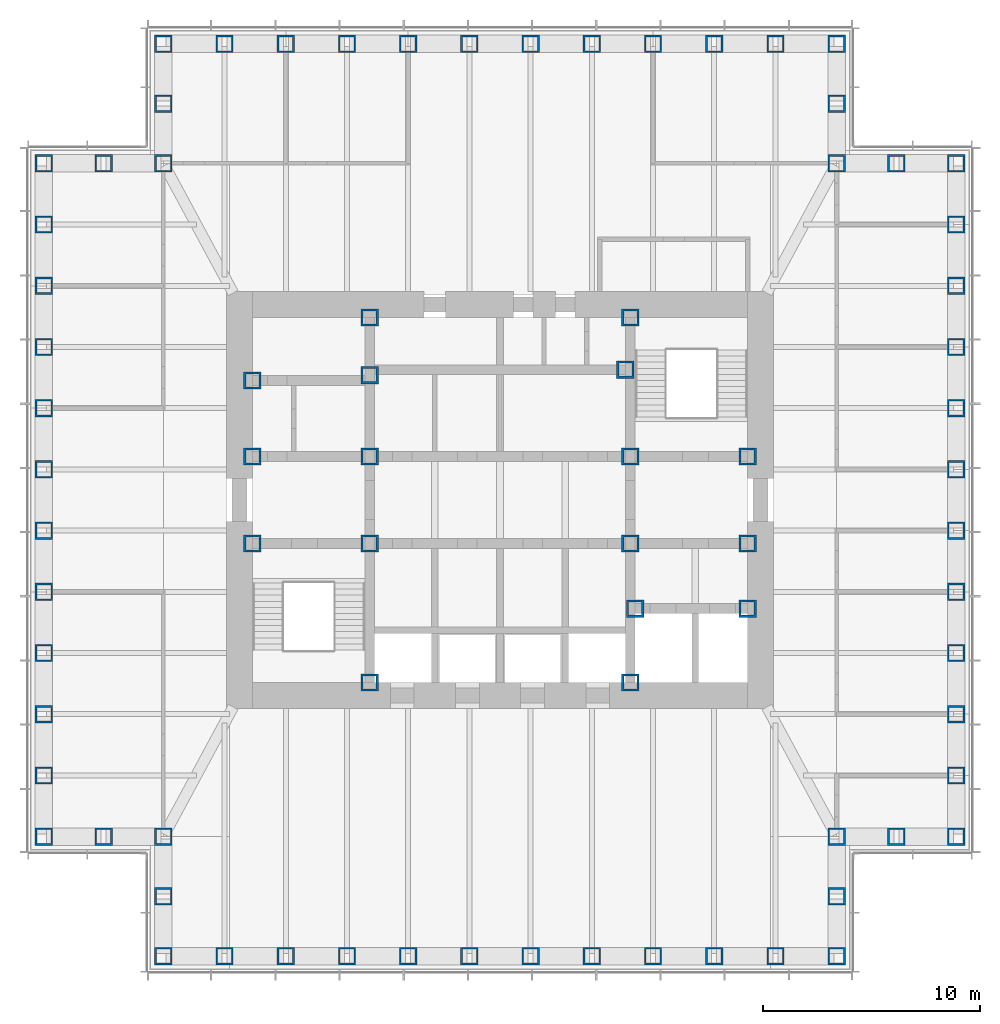
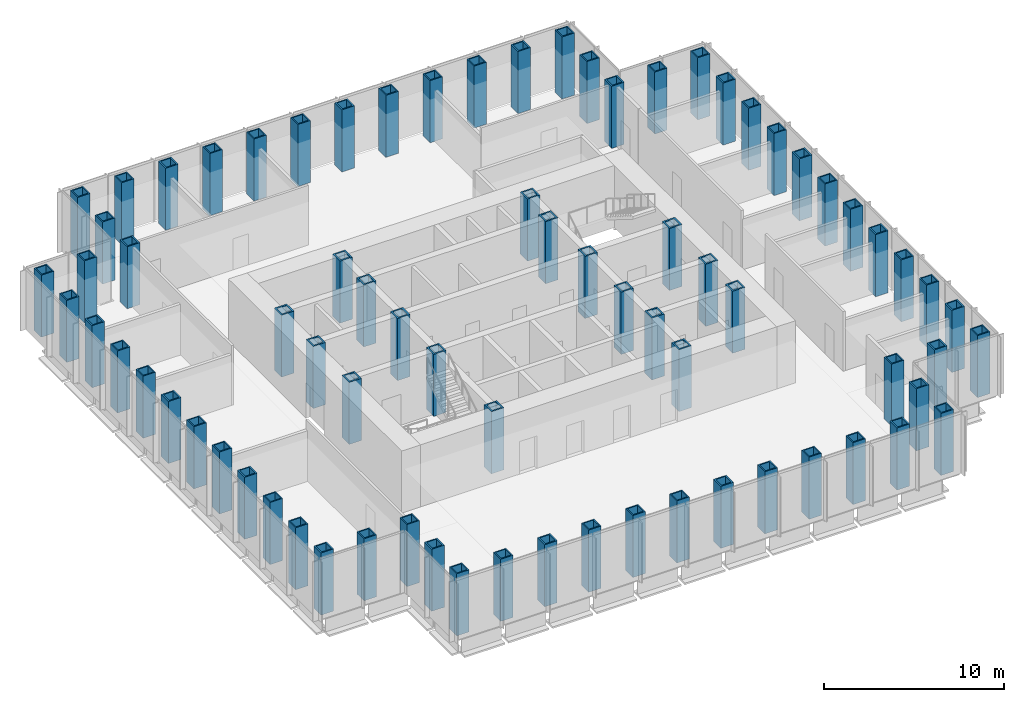
# One storey, part 1 of 16: 77 columns.
"""IFC4 building model written with IfcOpenShell, lengths in metres."""

from ifc_helpers import new_model, si_unit, direction, frame, origin, origin_2d, place, context, subcontext, project, spatial, hollow_rectangle, extrude, material, material_profile, profile_set, type_object, element, save


model = new_model("IFC4")

# Units and contexts
model_context = context("Model", 3, precision=1e-05, world=origin(), true_north=direction((0.0, 1.0)))
body_context = subcontext(model_context, "Body", "Model", "MODEL_VIEW")
ifc_project = project(units=[si_unit("LENGTHUNIT", "METRE"), si_unit("AREAUNIT", "SQUARE_METRE"), si_unit("VOLUMEUNIT", "CUBIC_METRE"), si_unit("PLANEANGLEUNIT", "RADIAN"), si_unit("MASSUNIT", "GRAM", prefix="KILO")], contexts=[model_context])

# Site, building, storey
site_placement = place(None, origin())
site = spatial("IfcSite", under=ifc_project, at=site_placement, CompositionType="ELEMENT")
building_placement = place(site_placement, origin())
building = spatial("IfcBuilding", under=site, at=building_placement, Name="Daluyong Arena Tower", CompositionType="ELEMENT")
storey_placement = place(building_placement, frame((0.0, 0.0, 214.89990234375)))
storey = spatial("IfcBuildingStorey", under=building, at=storey_placement, Name="L48", CompositionType="ELEMENT", Elevation=214.89990234375)

# Columns
ifc_material_1 = material(Name="Steel ASTM A572 Grade 50", Category="steel")
ifc_material_profile_1 = material_profile(ifc_material_1, hollow_rectangle(XDim=0.800048828125, YDim=0.800048828125, WallThickness=0.1, at=origin_2d()))
ifc_profile_set_1 = profile_set([ifc_material_profile_1], Name="Steel ASTM A572 Grade 50")
column_type_1 = type_object("IfcColumnType", Name="Core boundary column BX800X100", PredefinedType="COLUMN", material=ifc_profile_set_1)
for number, where, z_axis, x_axis, name in (
    (1, (44.60009765625, 78.0, 0.0), (0.0, 0.0, 1.0), (1.0, 0.0, 0.0), "core boundary column BC2"),
    (2, (44.60009765625, 82.0, 0.0), (0.0, 0.0, 1.0), (1.0, 0.0, 0.0), "core boundary column BC2"),
    (3, (44.60009765625, 85.5, 0.0), (0.0, 0.0, 1.0), (1.0, 0.0, 0.0), "core boundary column BC2"),
    (4, (50.0, 71.60009765625, 0.0), (0.0, 0.0, 1.0), (1.0, 0.0, 0.0), "core boundary column BC2"),
    (5, (50.0, 78.0, 0.0), (0.0, 0.0, 1.0), (1.0, 0.0, 0.0), "core boundary column BC2"),
    (6, (50.0, 82.0, 0.0), (0.0, 0.0, 1.0), (1.0, 0.0, 0.0), "core boundary column BC2"),
    (7, (50.0, 85.75, 0.0), (0.0, 0.0, 1.0), (1.0, 0.0, 0.0), "core boundary column BC2"),
    (8, (50.0, 88.39990234375, 0.0), (0.0, 0.0, 1.0), (1.0, 0.0, 0.0), "core boundary column BC2"),
    (9, (61.77490234375, 86.0, 0.0), (0.0, 0.0, 1.0), (1.0, 0.0, 0.0), "core boundary column BC2"),
    (10, (62.0, 71.60009765625, 0.0), (0.0, 0.0, 1.0), (1.0, 0.0, 0.0), "core boundary column BC2"),
    (11, (62.0, 78.0, 0.0), (0.0, 0.0, 1.0), (1.0, 0.0, 0.0), "core boundary column BC2"),
    (12, (62.0, 82.0, 0.0), (0.0, 0.0, 1.0), (1.0, 0.0, 0.0), "core boundary column BC2"),
    (13, (62.0, 88.39990234375, 0.0), (0.0, 0.0, 1.0), (1.0, 0.0, 0.0), "core boundary column BC2"),
    (14, (62.22509765625, 75.0, 0.0), (0.0, 0.0, 1.0), (1.0, 0.0, 0.0), "core boundary column BC2"),
    (15, (67.39990234375, 75.0, 0.0), (0.0, 0.0, 1.0), (1.0, 0.0, 0.0), "core boundary column BC2"),
    (16, (67.39990234375, 78.0, 0.0), (0.0, 0.0, 1.0), (1.0, 0.0, 0.0), "core boundary column BC2"),
    (17, (67.39990234375, 82.0, 0.0), (0.0, 0.0, 1.0), (1.0, 0.0, 0.0), "core boundary column BC2"),
):
    element("IfcColumn", number, at=place(storey_placement, frame(where, z_axis=z_axis, x_axis=x_axis)), inside=storey, type_object=column_type_1, Name=name, PredefinedType="COLUMN", context=body_context, shape_type="SweptSolid", body=[
        extrude(hollow_rectangle(XDim=0.800048828125, YDim=0.800048828125, WallThickness=0.1, at=origin_2d()), origin(), (0.0, 0.0, 1.0), 4.2001953125),
    ])
ifc_material_2 = material(Name="Steel ASTM A572 Grade 50", Category="steel")
ifc_material_profile_2 = material_profile(ifc_material_2, hollow_rectangle(XDim=0.800048828125, YDim=0.800048828125, WallThickness=0.08, at=origin_2d()))
ifc_profile_set_2 = profile_set([ifc_material_profile_2], Name="Steel ASTM A572 Grade 50")
column_type_2 = type_object("IfcColumnType", Name="Tube column BX800X80 BX800X80", PredefinedType="COLUMN", material=ifc_profile_set_2)
for number, where, z_axis, x_axis, name in (
    (18, (40.5, 59.0, 0.0), (0.0, 0.0, 1.0), (1.0, 0.0, 0.0), "tube column bx800x80 TC6"),
    (19, (43.318115234375, 59.0, 0.0), (0.0, 0.0, 1.0), (1.0, 0.0, 0.0), "tube column bx800x80 TC6"),
    (20, (46.136474609375, 59.0, 0.0), (0.0, 0.0, 1.0), (1.0, 0.0, 0.0), "tube column bx800x80 TC6"),
    (21, (48.95458984375, 59.0, 0.0), (0.0, 0.0, 1.0), (1.0, 0.0, 0.0), "tube column bx800x80 TC6"),
    (22, (51.772705078125, 59.0, 0.0), (0.0, 0.0, 1.0), (1.0, 0.0, 0.0), "tube column bx800x80 TC6"),
    (23, (54.5908203125, 59.0, 0.0), (0.0, 0.0, 1.0), (1.0, 0.0, 0.0), "tube column bx800x80 TC6"),
    (24, (57.4091796875, 59.0, 0.0), (0.0, 0.0, 1.0), (1.0, 0.0, 0.0), "tube column bx800x80 TC6"),
    (25, (60.227294921875, 59.0, 0.0), (0.0, 0.0, 1.0), (1.0, 0.0, 0.0), "tube column bx800x80 TC6"),
    (26, (63.04541015625, 59.0, 0.0), (0.0, 0.0, 1.0), (1.0, 0.0, 0.0), "tube column bx800x80 TC6"),
    (27, (65.863525390625, 59.0, 0.0), (0.0, 0.0, 1.0), (1.0, 0.0, 0.0), "tube column bx800x80 TC6"),
    (28, (68.681884765625, 59.0, 0.0), (0.0, 0.0, 1.0), (1.0, 0.0, 0.0), "tube column bx800x80 TC6"),
    (29, (71.5, 59.0, 0.0), (0.0, 0.0, 1.0), (0.0, 1.0, 0.0), "tube column bx800x80 TC6"),
    (30, (71.5, 61.75, 0.0), (0.0, 0.0, 1.0), (0.0, 1.0, 0.0), "tube column bx800x80 TC6"),
    (31, (71.5, 64.5, 0.0), (0.0, 0.0, 1.0), (1.0, 0.0, 0.0), "tube column bx800x80 TC6"),
    (32, (74.25, 64.5, 0.0), (0.0, 0.0, 1.0), (1.0, 0.0, 0.0), "tube column bx800x80 TC6"),
    (33, (77.0, 64.5, 0.0), (0.0, 0.0, 1.0), (0.0, 1.0, 0.0), "tube column bx800x80 TC6"),
    (34, (77.0, 67.318115234375, 0.0), (0.0, 0.0, 1.0), (0.0, 1.0, 0.0), "tube column bx800x80 TC6"),
    (35, (77.0, 70.136474609375, 0.0), (0.0, 0.0, 1.0), (0.0, 1.0, 0.0), "tube column bx800x80 TC6"),
    (36, (77.0, 72.95458984375, 0.0), (0.0, 0.0, 1.0), (0.0, 1.0, 0.0), "tube column bx800x80 TC6"),
    (37, (77.0, 75.772705078125, 0.0), (0.0, 0.0, 1.0), (0.0, 1.0, 0.0), "tube column bx800x80 TC6"),
    (38, (77.0, 78.5908203125, 0.0), (0.0, 0.0, 1.0), (0.0, 1.0, 0.0), "tube column bx800x80 TC6"),
    (39, (77.0, 81.4091796875, 0.0), (0.0, 0.0, 1.0), (0.0, 1.0, 0.0), "tube column bx800x80 TC6"),
    (40, (77.0, 84.227294921875, 0.0), (0.0, 0.0, 1.0), (0.0, 1.0, 0.0), "tube column bx800x80 TC6"),
    (41, (77.0, 87.04541015625, 0.0), (0.0, 0.0, 1.0), (0.0, 1.0, 0.0), "tube column bx800x80 TC6"),
    (42, (77.0, 89.863525390625, 0.0), (0.0, 0.0, 1.0), (0.0, 1.0, 0.0), "tube column bx800x80 TC6"),
    (43, (77.0, 92.681884765625, 0.0), (0.0, 0.0, 1.0), (0.0, 1.0, 0.0), "tube column bx800x80 TC6"),
    (44, (77.0, 95.5, 0.0), (0.0, 0.0, 1.0), (1.0, 0.0, 0.0), "tube column bx800x80 TC6"),
    (45, (74.25, 95.5, 0.0), (0.0, 0.0, 1.0), (1.0, 0.0, 0.0), "tube column bx800x80 TC6"),
    (46, (71.5, 95.5, 0.0), (0.0, 0.0, 1.0), (0.0, 1.0, 0.0), "tube column bx800x80 TC6"),
    (47, (71.5, 98.25, 0.0), (0.0, 0.0, 1.0), (0.0, 1.0, 0.0), "tube column bx800x80 TC6"),
    (48, (71.5, 101.0, 0.0), (0.0, 0.0, 1.0), (1.0, 0.0, 0.0), "tube column bx800x80 TC6"),
    (49, (68.681884765625, 101.0, 0.0), (0.0, 0.0, 1.0), (1.0, 0.0, 0.0), "tube column bx800x80 TC6"),
    (50, (65.863525390625, 101.0, 0.0), (0.0, 0.0, 1.0), (1.0, 0.0, 0.0), "tube column bx800x80 TC6"),
    (51, (63.04541015625, 101.0, 0.0), (0.0, 0.0, 1.0), (1.0, 0.0, 0.0), "tube column bx800x80 TC6"),
    (52, (60.227294921875, 101.0, 0.0), (0.0, 0.0, 1.0), (1.0, 0.0, 0.0), "tube column bx800x80 TC6"),
    (53, (57.4091796875, 101.0, 0.0), (0.0, 0.0, 1.0), (1.0, 0.0, 0.0), "tube column bx800x80 TC6"),
    (54, (54.5908203125, 101.0, 0.0), (0.0, 0.0, 1.0), (1.0, 0.0, 0.0), "tube column bx800x80 TC6"),
    (55, (51.772705078125, 101.0, 0.0), (0.0, 0.0, 1.0), (1.0, 0.0, 0.0), "tube column bx800x80 TC6"),
    (56, (48.95458984375, 101.0, 0.0), (0.0, 0.0, 1.0), (1.0, 0.0, 0.0), "tube column bx800x80 TC6"),
    (57, (46.136474609375, 101.0, 0.0), (0.0, 0.0, 1.0), (1.0, 0.0, 0.0), "tube column bx800x80 TC6"),
    (58, (43.318115234375, 101.0, 0.0), (0.0, 0.0, 1.0), (1.0, 0.0, 0.0), "tube column bx800x80 TC6"),
    (59, (40.5, 101.0, 0.0), (0.0, 0.0, 1.0), (0.0, 1.0, 0.0), "tube column bx800x80 TC6"),
    (60, (40.5, 98.25, 0.0), (0.0, 0.0, 1.0), (0.0, 1.0, 0.0), "tube column bx800x80 TC6"),
    (61, (40.5, 95.5, 0.0), (0.0, 0.0, 1.0), (1.0, 0.0, 0.0), "tube column bx800x80 TC6"),
    (62, (37.75, 95.5, 0.0), (0.0, 0.0, 1.0), (1.0, 0.0, 0.0), "tube column bx800x80 TC6"),
    (63, (35.0, 95.5, 0.0), (0.0, 0.0, 1.0), (0.0, 1.0, 0.0), "tube column bx800x80 TC6"),
    (64, (35.0, 92.681884765625, 0.0), (0.0, 0.0, 1.0), (0.0, 1.0, 0.0), "tube column bx800x80 TC6"),
    (65, (35.0, 89.863525390625, 0.0), (0.0, 0.0, 1.0), (0.0, 1.0, 0.0), "tube column bx800x80 TC6"),
    (66, (35.0, 87.04541015625, 0.0), (0.0, 0.0, 1.0), (0.0, 1.0, 0.0), "tube column bx800x80 TC6"),
    (67, (35.0, 84.227294921875, 0.0), (0.0, 0.0, 1.0), (0.0, 1.0, 0.0), "tube column bx800x80 TC6"),
    (68, (35.0, 81.4091796875, 0.0), (0.0, 0.0, 1.0), (0.0, 1.0, 0.0), "tube column bx800x80 TC6"),
    (69, (35.0, 78.5908203125, 0.0), (0.0, 0.0, 1.0), (0.0, 1.0, 0.0), "tube column bx800x80 TC6"),
    (70, (35.0, 75.772705078125, 0.0), (0.0, 0.0, 1.0), (0.0, 1.0, 0.0), "tube column bx800x80 TC6"),
    (71, (35.0, 72.95458984375, 0.0), (0.0, 0.0, 1.0), (0.0, 1.0, 0.0), "tube column bx800x80 TC6"),
    (72, (35.0, 70.136474609375, 0.0), (0.0, 0.0, 1.0), (0.0, 1.0, 0.0), "tube column bx800x80 TC6"),
    (73, (35.0, 67.318115234375, 0.0), (0.0, 0.0, 1.0), (0.0, 1.0, 0.0), "tube column bx800x80 TC6"),
    (74, (35.0, 64.5, 0.0), (0.0, 0.0, 1.0), (1.0, 0.0, 0.0), "tube column bx800x80 TC6"),
    (75, (37.75, 64.5, 0.0), (0.0, 0.0, 1.0), (1.0, 0.0, 0.0), "tube column bx800x80 TC6"),
    (76, (40.5, 64.5, 0.0), (0.0, 0.0, 1.0), (0.0, 1.0, 0.0), "tube column bx800x80 TC6"),
    (77, (40.5, 61.75, 0.0), (0.0, 0.0, 1.0), (0.0, 1.0, 0.0), "tube column bx800x80 TC6"),
):
    element("IfcColumn", number, at=place(storey_placement, frame(where, z_axis=z_axis, x_axis=x_axis)), inside=storey, type_object=column_type_2, Name=name, PredefinedType="COLUMN", context=body_context, shape_type="SweptSolid", body=[
        extrude(hollow_rectangle(XDim=0.800048828125, YDim=0.800048828125, WallThickness=0.08, at=origin_2d()), origin(), (0.0, 0.0, 1.0), 4.2001953125),
    ])

save(model, "model.ifc")
